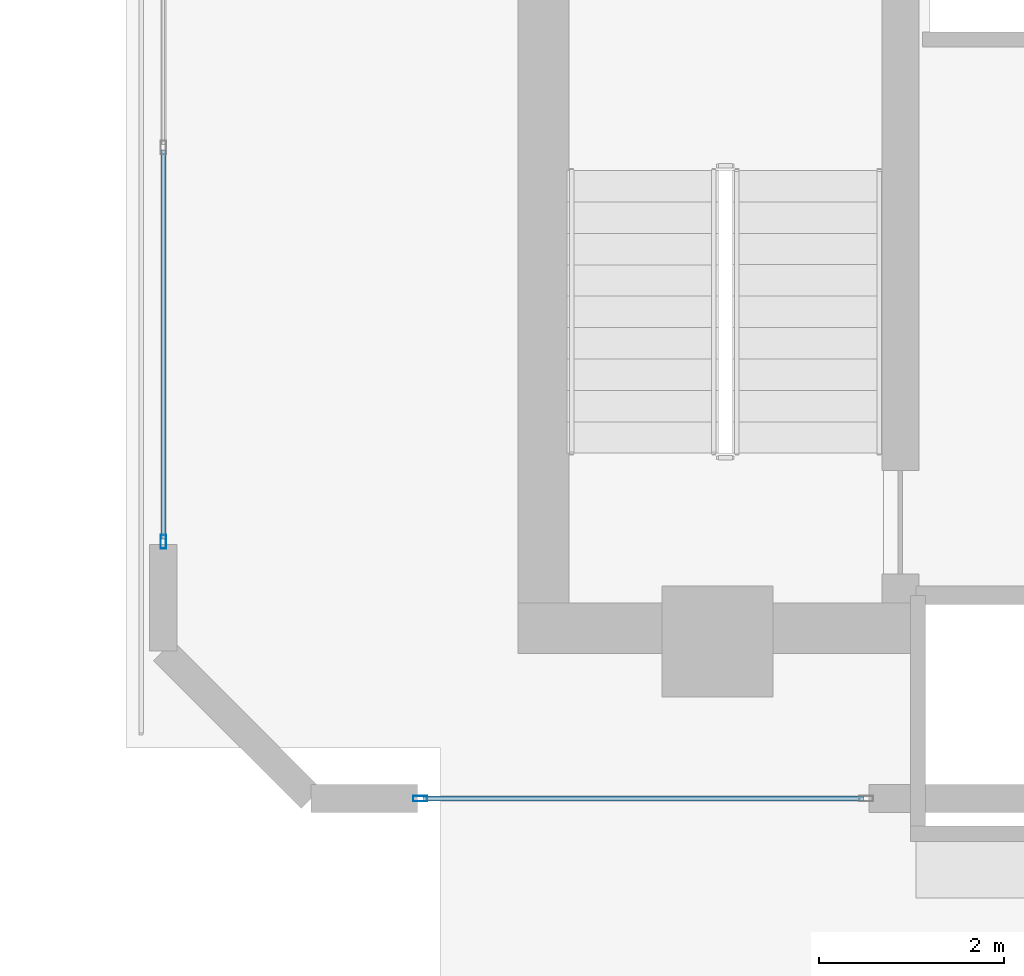
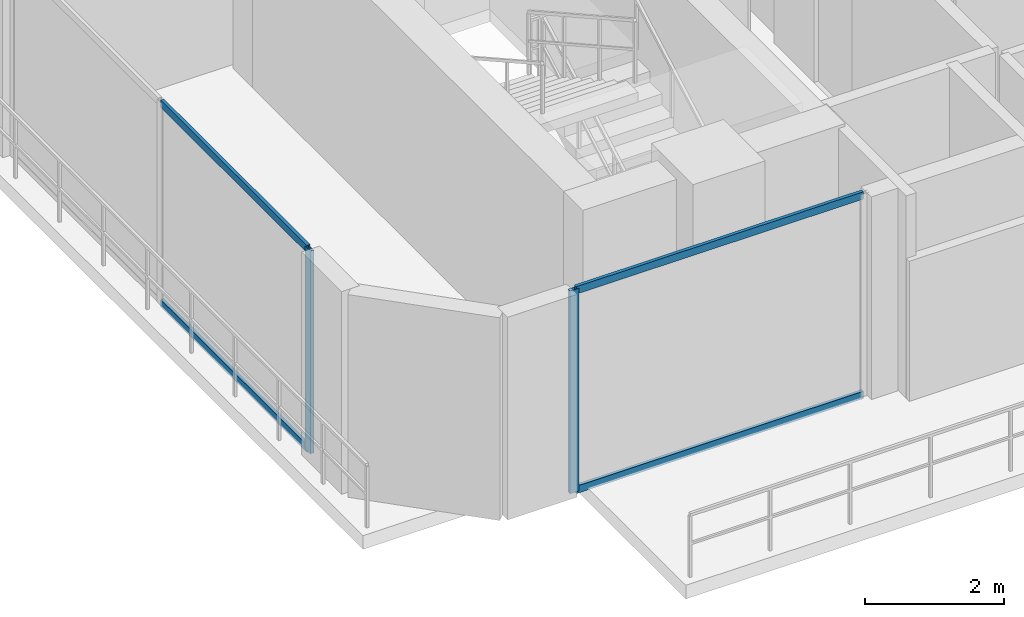
# One storey, part 2 of 27: 6 members, 2 elements without a shape of their own.
"""IFC4 building model written with IfcOpenShell, lengths in metres."""

from ifc_helpers import new_model, si_unit, direction, frame, origin, origin_2d, place, context, subcontext, project, spatial, hollow_rectangle, extrude, material, layer, layer_set, material_profile, profile_set, type_object, element, aggregate, save


model = new_model("IFC4")

# Units and contexts
model_context = context("Model", 3, precision=1e-05, world=origin(), true_north=direction((0.0, 1.0)))
body_context = subcontext(model_context, "Body", "Model", "MODEL_VIEW")
ifc_project = project(units=[si_unit("LENGTHUNIT", "METRE"), si_unit("AREAUNIT", "SQUARE_METRE"), si_unit("VOLUMEUNIT", "CUBIC_METRE"), si_unit("PLANEANGLEUNIT", "RADIAN"), si_unit("MASSUNIT", "GRAM", prefix="KILO")], contexts=[model_context])

# Site, building, storey
site_placement = place(None, origin())
site = spatial("IfcSite", under=ifc_project, at=site_placement, CompositionType="ELEMENT")
building_placement = place(site_placement, origin())
building = spatial("IfcBuilding", under=site, at=building_placement, Name="Zuhayl Quay Hotel", CompositionType="ELEMENT")
storey_placement = place(building_placement, frame((0.0, 0.0, 297.25)))
storey = spatial("IfcBuildingStorey", under=building, at=storey_placement, Name="Crown 1", CompositionType="ELEMENT", Elevation=297.25)

# Curtain wall, member
ifc_material_1 = material(Name="Anodised Aluminium 6063-T6", Category="aluminium")
ifc_layer = layer(ifc_material_1, 0.159912109375, Name="Anodised Aluminium 6063-T6", Category="aluminium")
ifc_layer_set = layer_set([ifc_layer], Name="Anodised Aluminium 6063-T6")
curtain_wall_type = type_object("IfcCurtainWallType", Name="CW_SYS_CRN", PredefinedType="USERDEFINED", material=ifc_layer_set)
curtain_wall_1_placement = place(storey_placement, origin())
curtain_wall_1 = element("IfcCurtainWall", 1, at=curtain_wall_1_placement, inside=storey, type_object=curtain_wall_type, Name="Crown 1 Curtain Wall ENV_CR1_E1_CW1", ObjectType="UNITISED CURTAIN WALL", PredefinedType="USERDEFINED")
ifc_material_2 = material(Name="Black-anodised aluminium 6063-T6", Category="aluminium")
ifc_material_profile_1 = material_profile(ifc_material_2, hollow_rectangle(XDim=0.06005859375, YDim=0.14990234375, WallThickness=0.00341796875, at=origin_2d()), Name="ALU150X60")
ifc_profile_set_1 = profile_set([ifc_material_profile_1], Name="Black-anodised aluminium 6063-T6")
member_type_1 = type_object("IfcMemberType", Name="MB_CW_MUL_150", PredefinedType="MULLION", material=ifc_profile_set_1)
member_1_placement = place(storey_placement, frame((-19.800048828125, 5.6298828125, 0.0), z_axis=(0.0, 0.0, 1.0), x_axis=(-1.0, 0.0, 0.0)))
member_1 = element("IfcMember", 2, at=member_1_placement, type_object=member_type_1, Name="CW-CRN mullion 1", PredefinedType="MULLION", context=body_context, shape_type="SweptSolid", body=[
    extrude(hollow_rectangle(XDim=0.06005859375, YDim=0.14990234375, WallThickness=0.00341796875, at=origin_2d()), origin(), (0.0, 0.0, 1.0), 3.56005859375),
])

curtain_wall_2_placement = place(storey_placement, origin())
curtain_wall_2 = element("IfcCurtainWall", 3, at=curtain_wall_2_placement, inside=storey, type_object=curtain_wall_type, Name="Crown 1 Curtain Wall ENV_CR1_E7_CW4", ObjectType="UNITISED CURTAIN WALL", PredefinedType="USERDEFINED")
member_2_placement = place(storey_placement, frame((-17.02001953125, 2.85009765625, 0.0), z_axis=(0.0, 0.0, 1.0), x_axis=(0.0, -1.0, 0.0)))
member_2 = element("IfcMember", 4, at=member_2_placement, type_object=member_type_1, Name="CW-CRN mullion 2", PredefinedType="MULLION", context=body_context, shape_type="SweptSolid", body=[
    extrude(hollow_rectangle(XDim=0.06005859375, YDim=0.14990234375, WallThickness=0.00341796875, at=origin_2d()), origin(), (0.0, 0.0, 1.0), 3.56005859375),
])

# Member
ifc_material_profile_2 = material_profile(ifc_material_2, hollow_rectangle(XDim=0.054931640625, YDim=0.1298828125, WallThickness=0.0029296875, at=origin_2d()), Name="ALU130X55")
ifc_profile_set_2 = profile_set([ifc_material_profile_2], Name="Black-anodised aluminium 6063-T6")
member_type_2 = type_object("IfcMemberType", Name="MB_CW_TRN_130", PredefinedType="USERDEFINED", material=ifc_profile_set_2)
member_3_placement = place(storey_placement, frame((-19.800048828125, 5.659912109375, 0.027587890625), z_axis=(0.0, 1.0, 0.0), x_axis=(-1.0, 0.0, 0.0)))
member_3 = element("IfcMember", 5, at=member_3_placement, type_object=member_type_2, Name="CW-CRN transom 1.1", ObjectType="TRANSOM", PredefinedType="USERDEFINED", context=body_context, shape_type="SweptSolid", body=[
    extrude(hollow_rectangle(XDim=0.054931640625, YDim=0.1298828125, WallThickness=0.0029296875, at=origin_2d()), origin(), (0.0, 0.0, 1.0), 4.210205078125),
])

member_4_placement = place(storey_placement, frame((-19.800048828125, 5.659912109375, 3.532470703125), z_axis=(0.0, 1.0, 0.0), x_axis=(-1.0, 0.0, 0.0)))
member_4 = element("IfcMember", 6, at=member_4_placement, type_object=member_type_2, Name="CW-CRN transom 1.2", ObjectType="TRANSOM", PredefinedType="USERDEFINED", context=body_context, shape_type="SweptSolid", body=[
    extrude(hollow_rectangle(XDim=0.054931640625, YDim=0.1298828125, WallThickness=0.0029296875, at=origin_2d()), origin(), (0.0, 0.0, 1.0), 4.210205078125),
])

aggregate(curtain_wall_1, [member_1, member_3, member_4])

member_5_placement = place(storey_placement, frame((-12.219970703125, 2.85009765625, 0.027587890625), z_axis=(-1.0, 0.0, 0.0), x_axis=(0.0, -1.0, 0.0)))
member_5 = element("IfcMember", 7, at=member_5_placement, type_object=member_type_2, Name="CW-CRN transom 1.1", ObjectType="TRANSOM", PredefinedType="USERDEFINED", context=body_context, shape_type="SweptSolid", body=[
    extrude(hollow_rectangle(XDim=0.054931640625, YDim=0.1298828125, WallThickness=0.0029296875, at=origin_2d()), origin(), (0.0, 0.0, 1.0), 4.77001953125),
])

member_6_placement = place(storey_placement, frame((-12.219970703125, 2.85009765625, 3.532470703125), z_axis=(-1.0, 0.0, 0.0), x_axis=(0.0, -1.0, 0.0)))
member_6 = element("IfcMember", 8, at=member_6_placement, type_object=member_type_2, Name="CW-CRN transom 1.2", ObjectType="TRANSOM", PredefinedType="USERDEFINED", context=body_context, shape_type="SweptSolid", body=[
    extrude(hollow_rectangle(XDim=0.054931640625, YDim=0.1298828125, WallThickness=0.0029296875, at=origin_2d()), origin(), (0.0, 0.0, 1.0), 4.77001953125),
])

aggregate(curtain_wall_2, [member_2, member_5, member_6])

save(model, "model.ifc")
